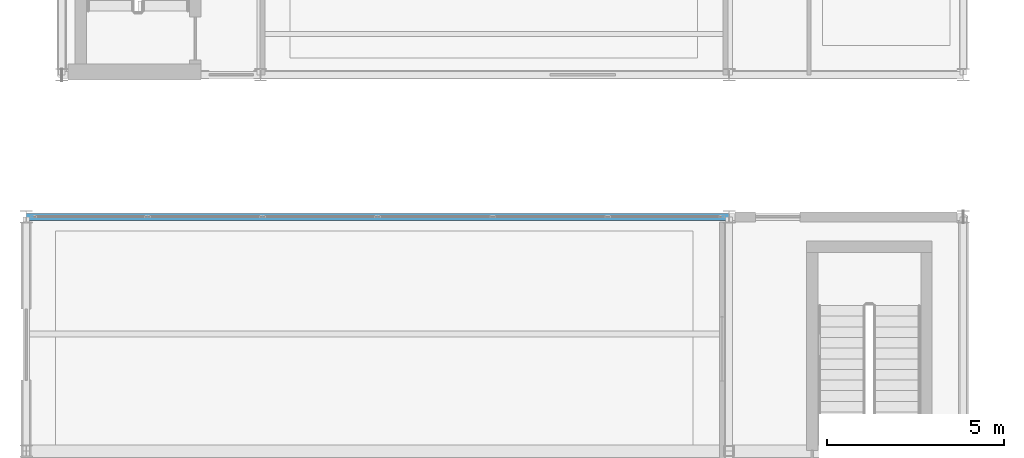
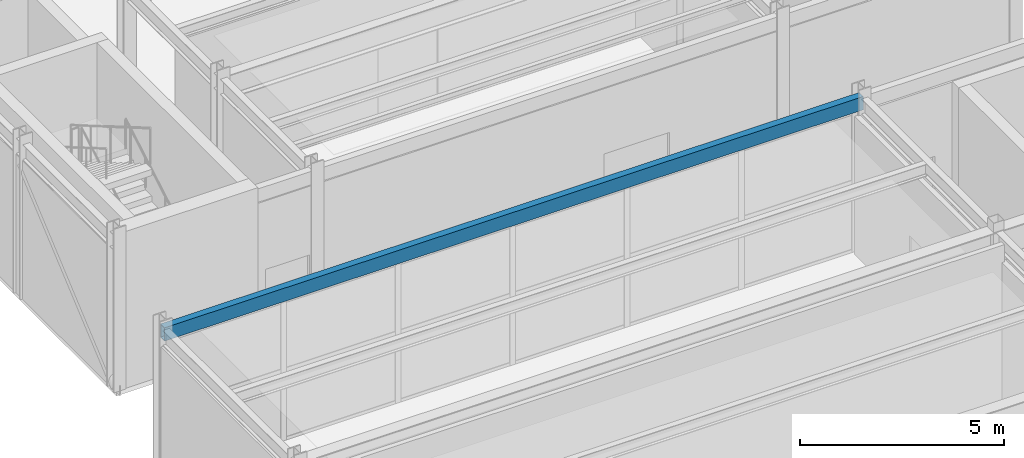
# One storey, part 20 of 144: 1 beam.
"""IFC4 building model written with IfcOpenShell, lengths in metres."""

from ifc_helpers import new_model, si_unit, direction, frame, origin, origin_2d, place, context, subcontext, project, spatial, hollow_rectangle, extrude, material, material_profile, profile_set, type_object, element, save


model = new_model("IFC4")

# Units and contexts
model_context = context("Model", 3, precision=1e-05, world=origin(), true_north=direction((0.0, 1.0)))
body_context = subcontext(model_context, "Body", "Model", "MODEL_VIEW")
ifc_project = project(units=[si_unit("LENGTHUNIT", "METRE"), si_unit("AREAUNIT", "SQUARE_METRE"), si_unit("VOLUMEUNIT", "CUBIC_METRE"), si_unit("PLANEANGLEUNIT", "RADIAN"), si_unit("MASSUNIT", "GRAM", prefix="KILO")], contexts=[model_context])

# Site, building, storey
site_placement = place(None, origin())
site = spatial("IfcSite", under=ifc_project, at=site_placement, CompositionType="ELEMENT")
building_placement = place(site_placement, origin())
building = spatial("IfcBuilding", under=site, at=building_placement, Name="Karori Crest Natural Sciences Institute", CompositionType="ELEMENT")
storey_placement = place(building_placement, origin())
storey = spatial("IfcBuildingStorey", under=building, at=storey_placement, Name="L00", CompositionType="ELEMENT", Elevation=0.0)

# Beam
ifc_material = material(Name="Hollow structural steel AS/NZS 1163 Grade C350", Category="steel")
ifc_material_profile = material_profile(ifc_material, hollow_rectangle(XDim=0.199951171875, YDim=0.39990234375, WallThickness=0.012451171875, at=origin_2d()), Name="RHS400x200x12.5")
ifc_profile_set = profile_set([ifc_material_profile], Name="Hollow structural steel AS/NZS 1163 Grade C350")
beam_type = type_object("IfcBeamType", Name="BT-14", PredefinedType="SPANDREL", material=ifc_profile_set)
beam_placement = place(storey_placement, frame((0.800048828125, 27.199951171875, 4.419921875), z_axis=(1.0, 0.0, 0.0), x_axis=(0.0, 1.0, 0.0)))
element("IfcBeam", 1, at=beam_placement, inside=storey, type_object=beam_type, Name="Beam B-0792", PredefinedType="SPANDREL", context=body_context, shape_type="SweptSolid", body=[
    extrude(hollow_rectangle(XDim=0.199951171875, YDim=0.39990234375, WallThickness=0.012451171875, at=origin_2d()), origin(), (0.0, 0.0, 1.0), 19.800048828125),
])

save(model, "model.ifc")
